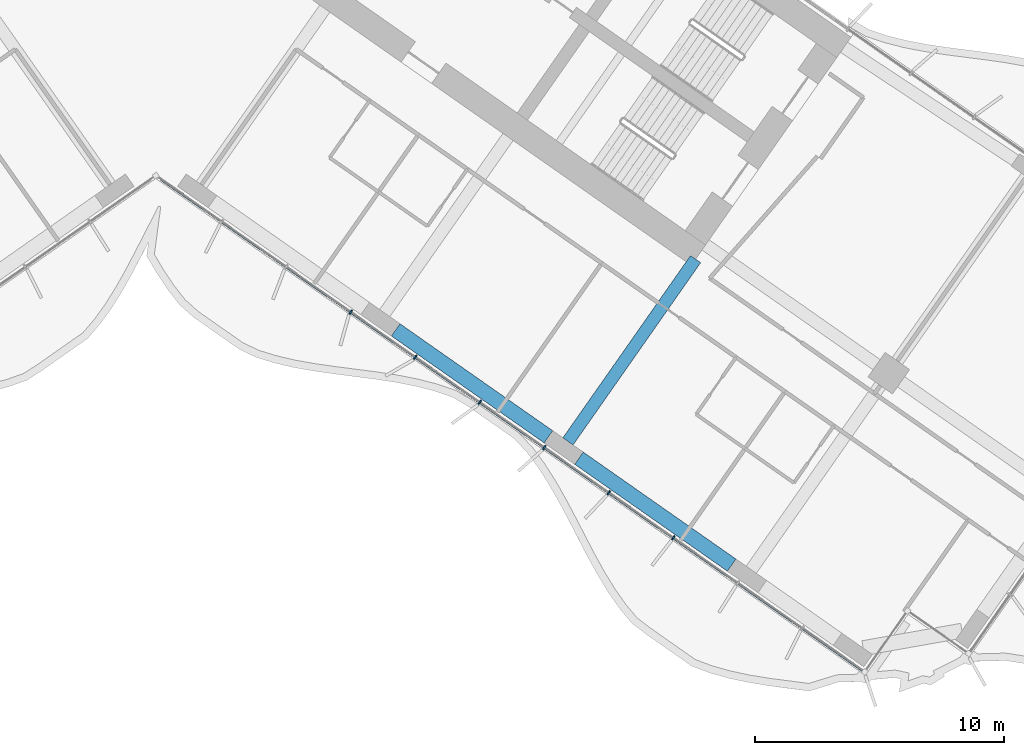
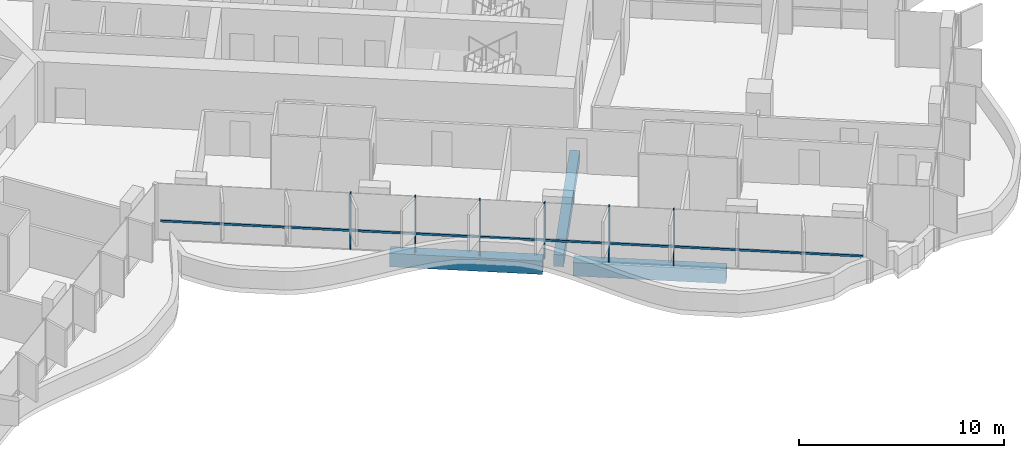
# One storey, part 5 of 22: 7 members, 3 beams, 1 element without a shape of its own.
"""IFC4 building model written with IfcOpenShell, lengths in metres."""

from ifc_helpers import new_model, si_unit, direction, frame, origin, origin_2d, place, context, subcontext, project, spatial, rectangle, extrude, material, material_profile, profile_set, type_object, element, aggregate, save


model = new_model("IFC4")

# Units and contexts
model_context = context("Model", 3, precision=1e-05, world=origin(), true_north=direction((0.0, 1.0)))
body_context = subcontext(model_context, "Body", "Model", "MODEL_VIEW")
ifc_project = project(units=[si_unit("LENGTHUNIT", "METRE"), si_unit("AREAUNIT", "SQUARE_METRE"), si_unit("VOLUMEUNIT", "CUBIC_METRE"), si_unit("PLANEANGLEUNIT", "RADIAN"), si_unit("MASSUNIT", "GRAM", prefix="KILO")], contexts=[model_context])

# Site, building, storey
site_placement = place(None, origin())
site = spatial("IfcSite", under=ifc_project, at=site_placement, CompositionType="ELEMENT")
building_placement = place(site_placement, origin())
building = spatial("IfcBuilding", under=site, at=building_placement, Name="Tel Ilan Convention Tower", CompositionType="ELEMENT")
storey_placement = place(building_placement, frame((0.0, 0.0, 122.89990234375)))
storey = spatial("IfcBuildingStorey", under=building, at=storey_placement, Name="L27", CompositionType="ELEMENT", Elevation=122.89990234375)

# Beams
ifc_material_1 = material(Name="Concrete C40/50", Category="concrete")
ifc_material_profile_1 = material_profile(ifc_material_1, rectangle(XDim=0.5, YDim=0.699951171875, at=origin_2d()), Name="RC 500x700")
ifc_profile_set_1 = profile_set([ifc_material_profile_1], Name="Concrete C40/50")
beam_type_1 = type_object("IfcBeamType", Name="Beam RC 500x700 Concrete C40/50", PredefinedType="BEAM", material=ifc_profile_set_1)
beam_placement = place(storey_placement, frame((16.58203125, -23.391357421875, -0.6298828125), z_axis=(0.573584999642, 0.819146048141, 0.0), x_axis=(-0.819146048141, 0.573584999642, 0.0)))
element("IfcBeam", 1, at=beam_placement, inside=storey, type_object=beam_type_1, Name="L27 beam E-E-F3-core", PredefinedType="BEAM", context=body_context, shape_type="SweptSolid", body=[
    extrude(rectangle(XDim=0.5, YDim=0.699951171875, at=origin_2d()), origin(), (0.0, 0.0, 1.0), 8.949951171875),
])
ifc_material_2 = material(Name="Concrete C40/50", Category="concrete")
ifc_material_profile_2 = material_profile(ifc_material_2, rectangle(XDim=0.60009765625, YDim=0.800048828125, at=origin_2d()), Name="RC 600x800")
ifc_profile_set_2 = profile_set([ifc_material_profile_2], Name="Concrete C40/50")
beam_type_2 = type_object("IfcBeamType", Name="Beam RC 600x800 Concrete C40/50", PredefinedType="BEAM", material=ifc_profile_set_2)
for number, where, z_axis, x_axis, name in (
    (2, (9.652099609375, -18.905029296875, -0.679931640625), (0.81915238829, -0.573575945067, 0.0), (0.573575945067, 0.81915238829, 0.0), "L27 beam E-E-F2-E-F3"),
    (3, (17.0244140625, -24.0673828125, -0.679931640625), (0.81915238829, -0.573575945067, 0.0), (0.573575945067, 0.81915238829, 0.0), "L27 beam E-E-F3-E-F4"),
):
    element("IfcBeam", number, at=place(storey_placement, frame(where, z_axis=z_axis, x_axis=x_axis)), inside=storey, type_object=beam_type_2, Name=name, PredefinedType="BEAM", context=body_context, shape_type="SweptSolid", body=[
        extrude(rectangle(XDim=0.60009765625, YDim=0.800048828125, at=origin_2d()), origin(), (0.0, 0.0, 1.0), 7.5),
    ])

# Curtain wall, members
ifc_material_3 = material(Name="Aluminium, bronze anodised", Category="aluminium")
curtain_wall_type = type_object("IfcCurtainWallType", Name="CW1 UNITISED CURTAIN WALL, HOTEL TINTED GLASS", PredefinedType="NOTDEFINED", material=ifc_material_3)
curtain_wall_placement = place(storey_placement, origin())
curtain_wall = element("IfcCurtainWall", 4, at=curtain_wall_placement, inside=storey, type_object=curtain_wall_type, Name="Curtain wall CW1-21.02", PredefinedType="NOTDEFINED")
ifc_material_4 = material(Name="Aluminium, bronze anodised", Category="aluminium")
ifc_material_profile_3 = material_profile(ifc_material_4, rectangle(XDim=0.06005859375, YDim=0.199951171875, at=origin_2d()), Name="CW MULLION 60x200")
ifc_profile_set_3 = profile_set([ifc_material_profile_3], Name="Aluminium, bronze anodised")
member_type_1 = type_object("IfcMemberType", Name="CW MULLION 60x200", PredefinedType="MULLION", material=ifc_profile_set_3)
member_1_placement = place(storey_placement, frame((7.842529296875, -18.1875, 0.0), z_axis=(0.0, 0.0, 1.0), x_axis=(0.819152044289, -0.573576436351, 0.0)))
member_1 = element("IfcMember", 5, at=member_1_placement, type_object=member_type_1, Name="Mullion", PredefinedType="MULLION", context=body_context, shape_type="SweptSolid", body=[
    extrude(rectangle(XDim=0.06005859375, YDim=0.199951171875, at=origin_2d()), origin(), (0.0, 0.0, 1.0), 3.320068359375),
])
member_2_placement = place(storey_placement, frame((10.4375, -20.004638671875, 0.0), z_axis=(0.0, 0.0, 1.0), x_axis=(0.819152044289, -0.573576436351, 0.0)))
member_2 = element("IfcMember", 6, at=member_2_placement, type_object=member_type_1, Name="Mullion", PredefinedType="MULLION", context=body_context, shape_type="SweptSolid", body=[
    extrude(rectangle(XDim=0.06005859375, YDim=0.199951171875, at=origin_2d()), origin(), (0.0, 0.0, 1.0), 3.320068359375),
])
member_3_placement = place(storey_placement, frame((13.03271484375, -21.821533203125, 0.0), z_axis=(0.0, 0.0, 1.0), x_axis=(0.819152044289, -0.573576436351, 0.0)))
member_3 = element("IfcMember", 7, at=member_3_placement, type_object=member_type_1, Name="Mullion", PredefinedType="MULLION", context=body_context, shape_type="SweptSolid", body=[
    extrude(rectangle(XDim=0.06005859375, YDim=0.199951171875, at=origin_2d()), origin(), (0.0, 0.0, 1.0), 3.320068359375),
])
member_4_placement = place(storey_placement, frame((15.627685546875, -23.638671875, 0.0), z_axis=(0.0, 0.0, 1.0), x_axis=(0.819152044289, -0.573576436351, 0.0)))
member_4 = element("IfcMember", 8, at=member_4_placement, type_object=member_type_1, Name="Mullion", PredefinedType="MULLION", context=body_context, shape_type="SweptSolid", body=[
    extrude(rectangle(XDim=0.06005859375, YDim=0.199951171875, at=origin_2d()), origin(), (0.0, 0.0, 1.0), 3.320068359375),
])
member_5_placement = place(storey_placement, frame((18.222900390625, -25.455810546875, 0.0), z_axis=(0.0, 0.0, 1.0), x_axis=(0.819152044289, -0.573576436351, 0.0)))
member_5 = element("IfcMember", 9, at=member_5_placement, type_object=member_type_1, Name="Mullion", PredefinedType="MULLION", context=body_context, shape_type="SweptSolid", body=[
    extrude(rectangle(XDim=0.06005859375, YDim=0.199951171875, at=origin_2d()), origin(), (0.0, 0.0, 1.0), 3.320068359375),
])
member_6_placement = place(storey_placement, frame((20.81787109375, -27.27294921875, 0.0), z_axis=(0.0, 0.0, 1.0), x_axis=(0.819152044289, -0.573576436351, 0.0)))
member_6 = element("IfcMember", 10, at=member_6_placement, type_object=member_type_1, Name="Mullion", PredefinedType="MULLION", context=body_context, shape_type="SweptSolid", body=[
    extrude(rectangle(XDim=0.06005859375, YDim=0.199951171875, at=origin_2d()), origin(), (0.0, 0.0, 1.0), 3.320068359375),
])
ifc_material_5 = material(Name="Aluminium, bronze anodised", Category="aluminium")
ifc_material_profile_4 = material_profile(ifc_material_5, rectangle(XDim=0.10009765625, YDim=0.1201171875, at=origin_2d()), Name="CW TRANSOM 100x120")
ifc_profile_set_4 = profile_set([ifc_material_profile_4], Name="Aluminium, bronze anodised")
member_type_2 = type_object("IfcMemberType", Name="CW TRANSOM 100x120", PredefinedType="USERDEFINED", material=ifc_profile_set_4)
member_7_placement = place(storey_placement, frame((0.22119140625, -12.850830078125, 1.10009765625), z_axis=(0.819151003602, -0.573577922604, 0.0), x_axis=(0.573577922604, 0.819151003602, 0.0)))
member_7 = element("IfcMember", 11, at=member_7_placement, type_object=member_type_2, Name="Transom", ObjectType="TRANSOM", PredefinedType="USERDEFINED", context=body_context, shape_type="SweptSolid", body=[
    extrude(rectangle(XDim=0.10009765625, YDim=0.1201171875, at=origin_2d()), origin(), (0.0, 0.0, 1.0), 34.447998046875),
])
aggregate(curtain_wall, [member_1, member_2, member_3, member_4, member_5, member_6, member_7])

save(model, "model.ifc")
